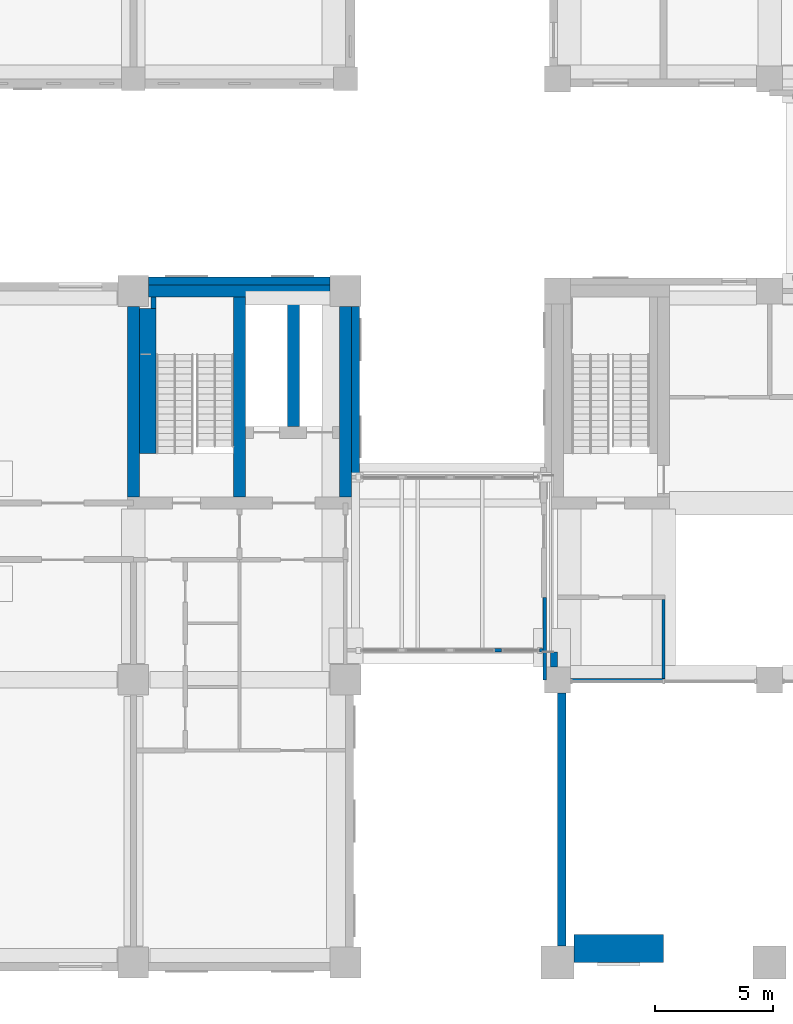
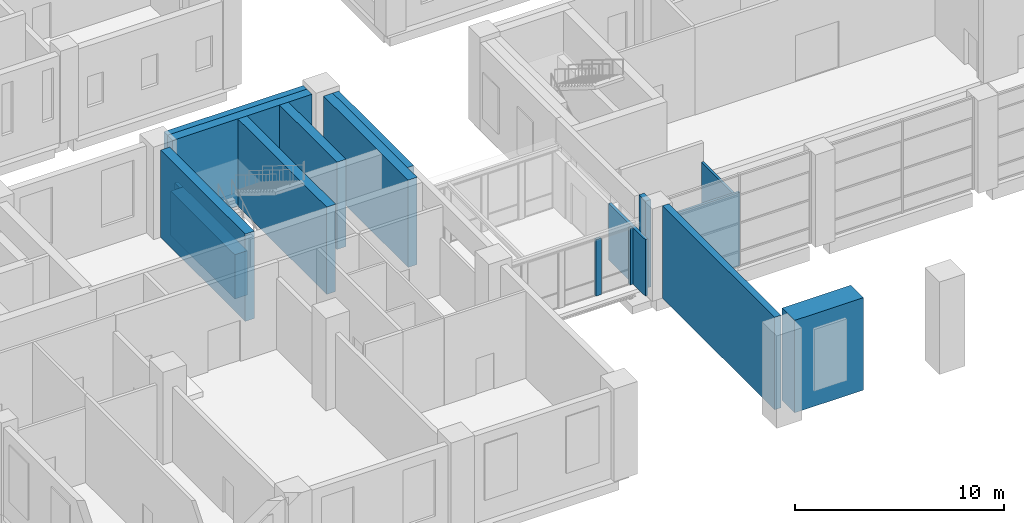
# One storey, part 28 of 52: 17 walls.
"""IFC4 building model written with IfcOpenShell, lengths in metres."""

from ifc_helpers import new_model, si_unit, direction, frame, frame_2d, origin, place, context, subcontext, project, spatial, rectangle, extrude, material, layer, layer_set, type_object, element, save


model = new_model("IFC4")

# Units and contexts
model_context = context("Model", 3, precision=1e-05, world=origin(), true_north=direction((0.0, 1.0)))
body_context = subcontext(model_context, "Body", "Model", "MODEL_VIEW")
ifc_project = project(units=[si_unit("LENGTHUNIT", "METRE"), si_unit("AREAUNIT", "SQUARE_METRE"), si_unit("VOLUMEUNIT", "CUBIC_METRE"), si_unit("PLANEANGLEUNIT", "RADIAN"), si_unit("MASSUNIT", "GRAM", prefix="KILO")], contexts=[model_context])

# Site, building, storey
site_placement = place(None, origin())
site = spatial("IfcSite", under=ifc_project, at=site_placement, CompositionType="ELEMENT")
building_placement = place(site_placement, origin())
building = spatial("IfcBuilding", under=site, at=building_placement, Name="Aurelan Courthouse", CompositionType="ELEMENT")
storey_placement = place(building_placement, frame((0.0, 0.0, 6.60009765625)))
storey = spatial("IfcBuildingStorey", under=building, at=storey_placement, Name="L01", CompositionType="ELEMENT", Elevation=6.60009765625)

# Walls
ifc_material_1 = material(Name="Limestone cladding", Category="masonry")
ifc_layer_1 = layer(ifc_material_1, 0.0849609375, Name="Facing")
ifc_material_2 = material(Name="Ventilated cavity")
ifc_layer_2 = layer(ifc_material_2, 0.02490234375, ventilated=True, Name="Ventilated cavity")
ifc_material_3 = material(Name="Mineral wool insulation")
ifc_layer_3 = layer(ifc_material_3, 0.044921875, Name="Insulation")
ifc_material_4 = material(Name="Concrete C30", Category="concrete")
ifc_layer_4 = layer(ifc_material_4, 0.14501953125, Name="Structure")
ifc_layer_set_1 = layer_set([ifc_layer_1, ifc_layer_2, ifc_layer_3, ifc_layer_4], Name="Concrete C30")
wall_type_1 = type_object("IfcWallType", Name="Ceremonial Court stone-faced wall 300", PredefinedType="SOLIDWALL", material=ifc_layer_set_1)
wall_1_placement = place(storey_placement, frame((35.85009765625, 12.550048828125, 0.0), z_axis=(0.0, 0.0, 1.0), x_axis=(0.0, 1.0, 0.0)))
element("IfcWall", 1, at=wall_1_placement, inside=storey, type_object=wall_type_1, Name="Facade wall FW-V1-L01-004", PredefinedType="SOLIDWALL", context=body_context, shape_type="SweptSolid", body=[
    extrude(rectangle(XDim=0.625, YDim=0.300048828125, at=frame_2d((0.3125, 0.0))), origin(), (0.0, 0.0, 1.0), 5.099853515625),
])
ifc_material_5 = material(Name="Gypsum board on metal studs")
ifc_layer_5 = layer(ifc_material_5, 0.14990234375)
ifc_layer_set_2 = layer_set([ifc_layer_5], Name="Gypsum board on metal studs")
wall_type_2 = type_object("IfcWallType", Name="Corridor partition 150 EI 60", PredefinedType="PARTITIONING", material=ifc_layer_set_2)
wall_2_placement = place(storey_placement, frame((35.449951171875, 12.0, 0.0), z_axis=(0.0, 0.0, 1.0), x_axis=(0.0, 1.0, 0.0)))
element("IfcWall", 2, at=wall_2_placement, inside=storey, type_object=wall_type_2, Name="Corridor partition L01-090", PredefinedType="PARTITIONING", context=body_context, shape_type="SweptSolid", body=[
    extrude(rectangle(XDim=3.5, YDim=0.14990234375, at=frame_2d((1.75, 0.0))), origin(), (0.0, 0.0, 1.0), 3.2998046875),
])
ifc_material_6 = material(Name="Granite cladding", Category="masonry")
ifc_layer_6 = layer(ifc_material_6, 0.10009765625, Name="Facing")
ifc_layer_7 = layer(ifc_material_2, 0.02490234375, ventilated=True, Name="Ventilated cavity")
ifc_layer_8 = layer(ifc_material_3, 0.050048828125, Name="Insulation")
ifc_layer_9 = layer(ifc_material_4, 0.175048828125, Name="Structure")
ifc_layer_set_3 = layer_set([ifc_layer_6, ifc_layer_7, ifc_layer_8, ifc_layer_9], Name="Concrete C30")
wall_type_3 = type_object("IfcWallType", Name="Courts' Floors granite-faced wall 350", PredefinedType="SOLIDWALL", material=ifc_layer_set_3)
wall_3_placement = place(storey_placement, frame((18.64990234375, 28.925048828125, 0.0), z_axis=(0.0, 0.0, 1.0), x_axis=(1.0, 0.0, 0.0)))
element("IfcWall", 3, at=wall_3_placement, inside=storey, type_object=wall_type_3, Name="Facade wall FW-V5-L01-006", PredefinedType="SOLIDWALL", context=body_context, shape_type="SweptSolid", body=[
    extrude(rectangle(XDim=7.7001953125, YDim=0.35009765625, at=frame_2d((3.85009765625, 0.0))), origin(), (0.0, 0.0, 1.0), 5.099853515625),
])
wall_4_placement = place(storey_placement, frame((27.425048828125, 20.675048828125, 0.0), z_axis=(0.0, 0.0, 1.0), x_axis=(0.0, 1.0, 0.0)))
element("IfcWall", 4, at=wall_4_placement, inside=storey, type_object=wall_type_3, Name="Facade wall FW-V5-L01-008", PredefinedType="SOLIDWALL", context=body_context, shape_type="SweptSolid", body=[
    extrude(rectangle(XDim=7.175048828125, YDim=0.35009765625, at=frame_2d((3.58740234375, 0.0))), origin(), (0.0, 0.0, 1.0), 5.099853515625),
])
ifc_material_7 = material(Name="Concrete C40", Category="concrete")
ifc_layer_10 = layer(ifc_material_7, 0.14990234375)
ifc_layer_set_4 = layer_set([ifc_layer_10], Name="Concrete C40")
wall_type_4 = type_object("IfcWallType", Name="Passage end pier 150 x 150 x 3300", PredefinedType="SOLIDWALL", material=ifc_layer_set_4)
wall_5_placement = place(storey_placement, frame((35.22509765625, 13.25, 0.0), z_axis=(0.0, 0.0, 1.0), x_axis=(1.0, 0.0, 0.0)))
element("IfcWall", 5, at=wall_5_placement, inside=storey, type_object=wall_type_4, Name="Passage pier BR1-P05", PredefinedType="SOLIDWALL", context=body_context, shape_type="SweptSolid", body=[
    extrude(rectangle(XDim=0.14990234375, YDim=0.14990234375, at=frame_2d((0.074951171875, 0.0))), origin(), (0.0, 0.0, 1.0), 3.2998046875),
])
ifc_layer_11 = layer(ifc_material_7, 0.14990234375)
ifc_layer_set_5 = layer_set([ifc_layer_11], Name="Concrete C40")
wall_type_5 = type_object("IfcWallType", Name="Passage pier 150 x 300 x 3300", PredefinedType="SOLIDWALL", material=ifc_layer_set_5)
wall_6_placement = place(storey_placement, frame((33.331298828125, 13.25, 0.0), z_axis=(0.0, 0.0, 1.0), x_axis=(1.0, 0.0, 0.0)))
element("IfcWall", 6, at=wall_6_placement, inside=storey, type_object=wall_type_5, Name="Passage pier BR1-P04", PredefinedType="SOLIDWALL", context=body_context, shape_type="SweptSolid", body=[
    extrude(rectangle(XDim=0.300048828125, YDim=0.14990234375, at=frame_2d((0.14990234375, 0.0))), origin(), (0.0, 0.0, 1.0), 3.2998046875),
])
ifc_material_8 = material(Name="Concrete C50", Category="concrete")
ifc_layer_12 = layer(ifc_material_8, 0.5)
ifc_layer_set_6 = layer_set([ifc_layer_12], Name="Concrete C50")
wall_type_6 = type_object("IfcWallType", Name="RC shear wall 500", PredefinedType="SHEAR", material=ifc_layer_set_6)
wall_7_placement = place(storey_placement, frame((18.0, 19.75, 0.0), z_axis=(0.0, 0.0, 1.0), x_axis=(0.0, 1.0, 0.0)))
element("IfcWall", 7, at=wall_7_placement, inside=storey, type_object=wall_type_6, Name="Core wall SW-L01-014", PredefinedType="SHEAR", context=body_context, shape_type="SweptSolid", body=[
    extrude(rectangle(XDim=8.10009765625, YDim=0.5, at=frame_2d((4.050048828125, 0.0))), origin(), (0.0, 0.0, 1.0), 5.099853515625),
])
wall_8_placement = place(storey_placement, frame((22.5, 19.75, 0.0), z_axis=(0.0, 0.0, 1.0), x_axis=(0.0, 1.0, 0.0)))
element("IfcWall", 8, at=wall_8_placement, inside=storey, type_object=wall_type_6, Name="Core wall SW-L01-015", PredefinedType="SHEAR", context=body_context, shape_type="SweptSolid", body=[
    extrude(rectangle(XDim=8.5, YDim=0.5, at=frame_2d((4.25, 0.0))), origin(), (0.0, 0.0, 1.0), 5.099853515625),
])
wall_9_placement = place(storey_placement, frame((27.0, 19.75, 0.0), z_axis=(0.0, 0.0, 1.0), x_axis=(0.0, 1.0, 0.0)))
element("IfcWall", 9, at=wall_9_placement, inside=storey, type_object=wall_type_6, Name="Core wall SW-L01-016", PredefinedType="SHEAR", context=body_context, shape_type="SweptSolid", body=[
    extrude(rectangle(XDim=8.10009765625, YDim=0.5, at=frame_2d((4.050048828125, 0.0))), origin(), (0.0, 0.0, 1.0), 5.099853515625),
])
wall_10_placement = place(storey_placement, frame((24.800048828125, 22.75, 0.0), z_axis=(0.0, 0.0, 1.0), x_axis=(0.0, 1.0, 0.0)))
element("IfcWall", 10, at=wall_10_placement, inside=storey, type_object=wall_type_6, Name="Core wall SW-L01-026", PredefinedType="SHEAR", context=body_context, shape_type="SweptSolid", body=[
    extrude(rectangle(XDim=5.5, YDim=0.5, at=frame_2d((2.75, 0.0))), origin(), (0.0, 0.0, 1.0), 5.099853515625),
])
wall_11_placement = place(storey_placement, frame((18.64990234375, 28.5, 0.0), z_axis=(0.0, 0.0, 1.0), x_axis=(1.0, 0.0, 0.0)))
element("IfcWall", 11, at=wall_11_placement, inside=storey, type_object=wall_type_6, Name="Core wall SW-L01-033", PredefinedType="SHEAR", context=body_context, shape_type="SweptSolid", body=[
    extrude(rectangle(XDim=7.7001953125, YDim=0.5, at=frame_2d((3.85009765625, 0.0))), origin(), (0.0, 0.0, 1.0), 5.099853515625),
])
ifc_layer_13 = layer(ifc_material_4, 0.199951171875)
ifc_layer_set_7 = layer_set([ifc_layer_13], Name="Concrete C30")
wall_type_7 = type_object("IfcWallType", Name="Stair well wall 200 EI 120 load-bearing", PredefinedType="SHEAR", material=ifc_layer_set_7)
wall_12_placement = place(storey_placement, frame((18.85009765625, 27.75, 0.0), z_axis=(0.0, 0.0, 1.0), x_axis=(0.0, 1.0, 0.0)))
element("IfcWall", 12, at=wall_12_placement, inside=storey, type_object=wall_type_7, Name="Stair well wall ST-5A-L01 A2", PredefinedType="SHEAR", context=body_context, shape_type="SweptSolid", body=[
    extrude(rectangle(XDim=0.5, YDim=0.199951171875, at=frame_2d((0.25, 0.0))), origin(), (0.0, 0.0, 1.0), 2.5869140625),
])
ifc_layer_14 = layer(ifc_material_4, 0.699951171875)
ifc_layer_set_8 = layer_set([ifc_layer_14], Name="Concrete C30")
wall_type_8 = type_object("IfcWallType", Name="Stair well wall 700 EI 120 load-bearing", PredefinedType="SHEAR", material=ifc_layer_set_8)
wall_13_placement = place(storey_placement, frame((18.60009765625, 21.610107421875, 0.0), z_axis=(0.0, 0.0, 1.0), x_axis=(0.0, 1.0, 0.0)))
element("IfcWall", 13, at=wall_13_placement, inside=storey, type_object=wall_type_8, Name="Stair well wall ST-5A-L01 A", PredefinedType="SHEAR", context=body_context, shape_type="SweptSolid", body=[
    extrude(rectangle(XDim=6.139892578125, YDim=0.699951171875, at=frame_2d((3.06982421875, 0.0))), origin(), (0.0, 0.0, 1.0), 2.5869140625),
])
ifc_layer_15 = layer(ifc_material_1, 0.344970703125, Name="Facing")
ifc_layer_16 = layer(ifc_material_2, 0.02490234375, ventilated=True, Name="Ventilated cavity")
ifc_layer_17 = layer(ifc_material_3, 0.169921875, Name="Insulation")
ifc_layer_18 = layer(ifc_material_4, 0.659912109375, Name="Structure")
ifc_layer_set_9 = layer_set([ifc_layer_15, ifc_layer_16, ifc_layer_17, ifc_layer_18], Name="Concrete C30")
wall_type_9 = type_object("IfcWallType", Name="Stone-faced wall 1200", PredefinedType="SOLIDWALL", material=ifc_layer_set_9)
wall_14_placement = place(storey_placement, frame((36.699951171875, 0.60009765625, 0.0), z_axis=(0.0, 0.0, 1.0), x_axis=(1.0, 0.0, 0.0)))
element("IfcWall", 14, at=wall_14_placement, inside=storey, type_object=wall_type_9, Name="Loggia pylon FW-V1-L01-008", PredefinedType="SOLIDWALL", context=body_context, shape_type="SweptSolid", body=[
    extrude(rectangle(XDim=3.800048828125, YDim=1.199951171875, at=frame_2d((1.89990234375, 0.0))), origin(), (0.0, 0.0, 1.0), 5.39990234375),
])
ifc_layer_19 = layer(ifc_material_1, 0.10009765625, Name="Facing")
ifc_layer_20 = layer(ifc_material_2, 0.02490234375, ventilated=True, Name="Ventilated cavity")
ifc_layer_21 = layer(ifc_material_3, 0.050048828125, Name="Insulation")
ifc_layer_22 = layer(ifc_material_4, 0.175048828125, Name="Structure")
ifc_layer_set_10 = layer_set([ifc_layer_19, ifc_layer_20, ifc_layer_21, ifc_layer_22], Name="Concrete C30")
wall_type_10 = type_object("IfcWallType", Name="Stone-faced wall 350", PredefinedType="SOLIDWALL", material=ifc_layer_set_10)
wall_15_placement = place(storey_placement, frame((36.175048828125, 0.699951171875, 0.0), z_axis=(0.0, 0.0, 1.0), x_axis=(0.0, 1.0, 0.0)))
element("IfcWall", 15, at=wall_15_placement, inside=storey, type_object=wall_type_10, Name="Loggia side wall FW-V1-L01-006", PredefinedType="SOLIDWALL", context=body_context, shape_type="SweptSolid", body=[
    extrude(rectangle(XDim=10.75, YDim=0.35009765625, at=frame_2d((5.375, 0.0))), origin(), (0.0, 0.0, 1.0), 5.39990234375),
])
ifc_material_9 = material(Name="Moisture-resistant board on metal studs")
ifc_layer_23 = layer(ifc_material_9, 0.125)
ifc_layer_set_11 = layer_set([ifc_layer_23], Name="Moisture-resistant board on metal studs")
wall_type_11 = type_object("IfcWallType", Name="Wet-area partition 125 NOT RATED", PredefinedType="PARTITIONING", material=ifc_layer_set_11)
wall_16_placement = place(storey_placement, frame((36.550048828125, 12.0, 0.0), z_axis=(0.0, 0.0, 1.0), x_axis=(1.0, 0.0, 0.0)))
element("IfcWall", 16, at=wall_16_placement, inside=storey, type_object=wall_type_11, Name="Wet-area partition L01-009", PredefinedType="PARTITIONING", context=body_context, shape_type="SweptSolid", body=[
    extrude(rectangle(XDim=4.012451171875, YDim=0.125, at=frame_2d((2.00634765625, 0.0))), origin(), (0.0, 0.0, 1.0), 4.2998046875),
])
wall_17_placement = place(storey_placement, frame((40.5, 12.0625, 0.0), z_axis=(0.0, 0.0, 1.0), x_axis=(0.0, 1.0, 0.0)))
element("IfcWall", 17, at=wall_17_placement, inside=storey, type_object=wall_type_11, Name="Wet-area partition L01-092", PredefinedType="PARTITIONING", context=body_context, shape_type="SweptSolid", body=[
    extrude(rectangle(XDim=3.33740234375, YDim=0.125, at=frame_2d((1.668701171875, 0.0))), origin(), (0.0, 0.0, 1.0), 4.0),
])

save(model, "model.ifc")
